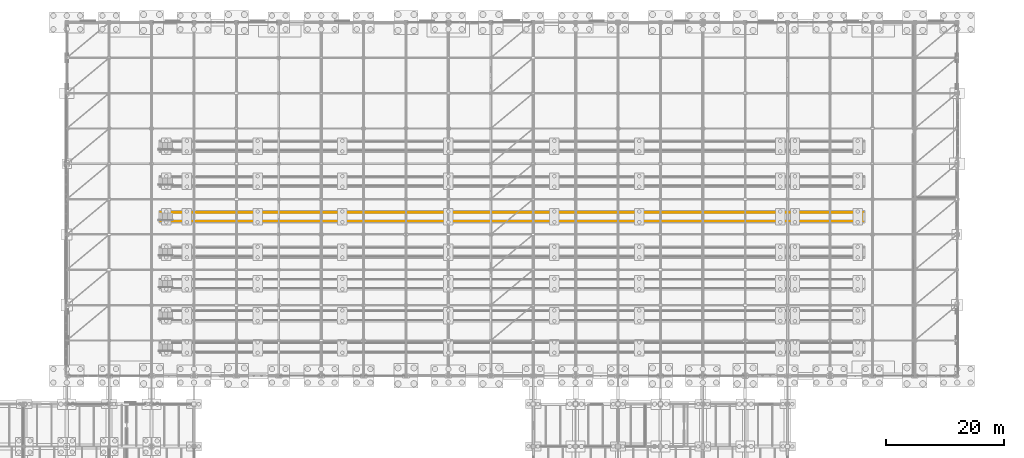
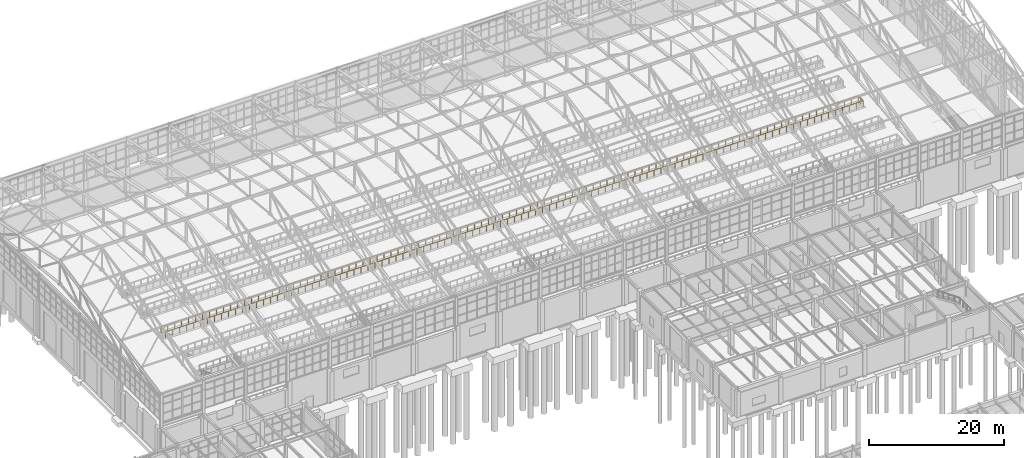
# One storey, part 286 of 293: 1 railing.
"""IFC4 building model written with IfcOpenShell, lengths in metres."""

from ifc_helpers import new_model, si_unit, direction, frame, origin, origin_2d, place, context, subcontext, project, spatial, circle, extrude, material, type_object, element, save


model = new_model("IFC4")

# Units and contexts
model_context = context("Model", 3, precision=1e-05, world=origin(), true_north=direction((0.0, 1.0)))
body_context = subcontext(model_context, "Body", "Model", "MODEL_VIEW")
ifc_project = project(units=[si_unit("LENGTHUNIT", "METRE"), si_unit("AREAUNIT", "SQUARE_METRE"), si_unit("VOLUMEUNIT", "CUBIC_METRE"), si_unit("PLANEANGLEUNIT", "RADIAN"), si_unit("MASSUNIT", "GRAM", prefix="KILO")], contexts=[model_context])

# Site, building, storey
site_placement = place(None, origin())
site = spatial("IfcSite", under=ifc_project, at=site_placement, CompositionType="ELEMENT")
building_placement = place(site_placement, origin())
building = spatial("IfcBuilding", under=site, at=building_placement, Name="Kemerveld Promenade Tramway Depot", CompositionType="ELEMENT")
storey_placement = place(building_placement, origin())
storey = spatial("IfcBuildingStorey", under=building, at=storey_placement, Name="L00", CompositionType="ELEMENT", Elevation=0.0)

# Railing
ifc_material = material(Name="Galvanised painted steel balustrade", Category="steel")
railing_type = type_object("IfcRailingType", Name="RL-GRD-1100", PredefinedType="GUARDRAIL", material=ifc_material)
railing_placement = place(storey_placement, frame((51.949951171875, 110.39501953125, 0.0)))
element("IfcRailing", 1, at=railing_placement, inside=storey, type_object=railing_type, Name="RL-PIT-PIT-05", PredefinedType="GUARDRAIL", context=body_context, shape_type="SweptSolid", body=[
    extrude(circle(Radius=0.02392578125, at=origin_2d()), frame((0.0, 0.0, 1.09619140625), z_axis=(0.0, -1.0, 0.0), x_axis=(1.0, 0.0, 0.0)), (0.0, 0.0, 1.0), 0.14501953125),
    extrude(circle(Radius=0.02392578125, at=origin_2d()), frame((0.0, -0.14501953125, 1.09619140625), z_axis=(1.0, 0.0, 0.0), x_axis=(0.0, 1.0, 0.0)), (0.0, 0.0, 1.0), 119.300048828125),
    extrude(circle(Radius=0.02392578125, at=origin_2d()), frame((119.300048828125, -0.14501953125, 1.09619140625), z_axis=(0.0, 1.0, 0.0), x_axis=(-1.0, 0.0, 0.0)), (0.0, 0.0, 1.0), 1.5),
    extrude(circle(Radius=0.02392578125, at=origin_2d()), frame((119.300048828125, 1.35498046875, 1.09619140625), z_axis=(-1.0, 0.0, 0.0), x_axis=(0.0, -1.0, 0.0)), (0.0, 0.0, 1.0), 119.300048828125),
    extrude(circle(Radius=0.02392578125, at=origin_2d()), frame((0.0, 1.35498046875, 1.09619140625), z_axis=(0.0, -1.0, 0.0), x_axis=(1.0, 0.0, 0.0)), (0.0, 0.0, 1.0), 0.14501953125),
    extrude(circle(Radius=0.02099609375, at=origin_2d()), origin(), (0.0, 0.0, 1.0), 1.072021484375),
    extrude(circle(Radius=0.02099609375, at=origin_2d()), frame((0.0, -0.14501953125, 0.0)), (0.0, 0.0, 1.0), 1.072021484375),
    extrude(circle(Radius=0.02099609375, at=origin_2d()), frame((1.193115234375, -0.14501953125, 0.0)), (0.0, 0.0, 1.0), 1.072021484375),
    extrude(circle(Radius=0.02099609375, at=origin_2d()), frame((2.385986328125, -0.14501953125, 0.0)), (0.0, 0.0, 1.0), 1.072021484375),
    extrude(circle(Radius=0.02099609375, at=origin_2d()), frame((3.5791015625, -0.14501953125, 0.0)), (0.0, 0.0, 1.0), 1.072021484375),
    extrude(circle(Radius=0.02099609375, at=origin_2d()), frame((4.77197265625, -0.14501953125, 0.0)), (0.0, 0.0, 1.0), 1.072021484375),
    extrude(circle(Radius=0.02099609375, at=origin_2d()), frame((5.965087890625, -0.14501953125, 0.0)), (0.0, 0.0, 1.0), 1.072021484375),
    extrude(circle(Radius=0.02099609375, at=origin_2d()), frame((7.157958984375, -0.14501953125, 0.0)), (0.0, 0.0, 1.0), 1.072021484375),
    extrude(circle(Radius=0.02099609375, at=origin_2d()), frame((8.35107421875, -0.14501953125, 0.0)), (0.0, 0.0, 1.0), 1.072021484375),
    extrude(circle(Radius=0.02099609375, at=origin_2d()), frame((9.5439453125, -0.14501953125, 0.0)), (0.0, 0.0, 1.0), 1.072021484375),
    extrude(circle(Radius=0.02099609375, at=origin_2d()), frame((10.737060546875, -0.14501953125, 0.0)), (0.0, 0.0, 1.0), 1.072021484375),
    extrude(circle(Radius=0.02099609375, at=origin_2d()), frame((11.929931640625, -0.14501953125, 0.0)), (0.0, 0.0, 1.0), 1.072021484375),
    extrude(circle(Radius=0.02099609375, at=origin_2d()), frame((13.123046875, -0.14501953125, 0.0)), (0.0, 0.0, 1.0), 1.072021484375),
    extrude(circle(Radius=0.02099609375, at=origin_2d()), frame((14.31591796875, -0.14501953125, 0.0)), (0.0, 0.0, 1.0), 1.072021484375),
    extrude(circle(Radius=0.02099609375, at=origin_2d()), frame((15.509033203125, -0.14501953125, 0.0)), (0.0, 0.0, 1.0), 1.072021484375),
    extrude(circle(Radius=0.02099609375, at=origin_2d()), frame((16.701904296875, -0.14501953125, 0.0)), (0.0, 0.0, 1.0), 1.072021484375),
    extrude(circle(Radius=0.02099609375, at=origin_2d()), frame((17.89501953125, -0.14501953125, 0.0)), (0.0, 0.0, 1.0), 1.072021484375),
    extrude(circle(Radius=0.02099609375, at=origin_2d()), frame((19.087890625, -0.14501953125, 0.0)), (0.0, 0.0, 1.0), 1.072021484375),
    extrude(circle(Radius=0.02099609375, at=origin_2d()), frame((20.281005859375, -0.14501953125, 0.0)), (0.0, 0.0, 1.0), 1.072021484375),
    extrude(circle(Radius=0.02099609375, at=origin_2d()), frame((21.47412109375, -0.14501953125, 0.0)), (0.0, 0.0, 1.0), 1.072021484375),
    extrude(circle(Radius=0.02099609375, at=origin_2d()), frame((22.6669921875, -0.14501953125, 0.0)), (0.0, 0.0, 1.0), 1.072021484375),
    extrude(circle(Radius=0.02099609375, at=origin_2d()), frame((23.860107421875, -0.14501953125, 0.0)), (0.0, 0.0, 1.0), 1.072021484375),
    extrude(circle(Radius=0.02099609375, at=origin_2d()), frame((25.052978515625, -0.14501953125, 0.0)), (0.0, 0.0, 1.0), 1.072021484375),
    extrude(circle(Radius=0.02099609375, at=origin_2d()), frame((26.24609375, -0.14501953125, 0.0)), (0.0, 0.0, 1.0), 1.072021484375),
    extrude(circle(Radius=0.02099609375, at=origin_2d()), frame((27.43896484375, -0.14501953125, 0.0)), (0.0, 0.0, 1.0), 1.072021484375),
    extrude(circle(Radius=0.02099609375, at=origin_2d()), frame((28.632080078125, -0.14501953125, 0.0)), (0.0, 0.0, 1.0), 1.072021484375),
    extrude(circle(Radius=0.02099609375, at=origin_2d()), frame((29.824951171875, -0.14501953125, 0.0)), (0.0, 0.0, 1.0), 1.072021484375),
    extrude(circle(Radius=0.02099609375, at=origin_2d()), frame((31.01806640625, -0.14501953125, 0.0)), (0.0, 0.0, 1.0), 1.072021484375),
    extrude(circle(Radius=0.02099609375, at=origin_2d()), frame((32.2109375, -0.14501953125, 0.0)), (0.0, 0.0, 1.0), 1.072021484375),
    extrude(circle(Radius=0.02099609375, at=origin_2d()), frame((33.404052734375, -0.14501953125, 0.0)), (0.0, 0.0, 1.0), 1.072021484375),
    extrude(circle(Radius=0.02099609375, at=origin_2d()), frame((34.596923828125, -0.14501953125, 0.0)), (0.0, 0.0, 1.0), 1.072021484375),
    extrude(circle(Radius=0.02099609375, at=origin_2d()), frame((35.7900390625, -0.14501953125, 0.0)), (0.0, 0.0, 1.0), 1.072021484375),
    extrude(circle(Radius=0.02099609375, at=origin_2d()), frame((36.98291015625, -0.14501953125, 0.0)), (0.0, 0.0, 1.0), 1.072021484375),
    extrude(circle(Radius=0.02099609375, at=origin_2d()), frame((38.176025390625, -0.14501953125, 0.0)), (0.0, 0.0, 1.0), 1.072021484375),
    extrude(circle(Radius=0.02099609375, at=origin_2d()), frame((39.368896484375, -0.14501953125, 0.0)), (0.0, 0.0, 1.0), 1.072021484375),
    extrude(circle(Radius=0.02099609375, at=origin_2d()), frame((40.56201171875, -0.14501953125, 0.0)), (0.0, 0.0, 1.0), 1.072021484375),
    extrude(circle(Radius=0.02099609375, at=origin_2d()), frame((41.755126953125, -0.14501953125, 0.0)), (0.0, 0.0, 1.0), 1.072021484375),
    extrude(circle(Radius=0.02099609375, at=origin_2d()), frame((42.947998046875, -0.14501953125, 0.0)), (0.0, 0.0, 1.0), 1.072021484375),
    extrude(circle(Radius=0.02099609375, at=origin_2d()), frame((44.14111328125, -0.14501953125, 0.0)), (0.0, 0.0, 1.0), 1.072021484375),
    extrude(circle(Radius=0.02099609375, at=origin_2d()), frame((45.333984375, -0.14501953125, 0.0)), (0.0, 0.0, 1.0), 1.072021484375),
    extrude(circle(Radius=0.02099609375, at=origin_2d()), frame((46.527099609375, -0.14501953125, 0.0)), (0.0, 0.0, 1.0), 1.072021484375),
    extrude(circle(Radius=0.02099609375, at=origin_2d()), frame((47.719970703125, -0.14501953125, 0.0)), (0.0, 0.0, 1.0), 1.072021484375),
    extrude(circle(Radius=0.02099609375, at=origin_2d()), frame((48.9130859375, -0.14501953125, 0.0)), (0.0, 0.0, 1.0), 1.072021484375),
    extrude(circle(Radius=0.02099609375, at=origin_2d()), frame((50.10595703125, -0.14501953125, 0.0)), (0.0, 0.0, 1.0), 1.072021484375),
    extrude(circle(Radius=0.02099609375, at=origin_2d()), frame((51.299072265625, -0.14501953125, 0.0)), (0.0, 0.0, 1.0), 1.072021484375),
    extrude(circle(Radius=0.02099609375, at=origin_2d()), frame((52.491943359375, -0.14501953125, 0.0)), (0.0, 0.0, 1.0), 1.072021484375),
    extrude(circle(Radius=0.02099609375, at=origin_2d()), frame((53.68505859375, -0.14501953125, 0.0)), (0.0, 0.0, 1.0), 1.072021484375),
    extrude(circle(Radius=0.02099609375, at=origin_2d()), frame((54.8779296875, -0.14501953125, 0.0)), (0.0, 0.0, 1.0), 1.072021484375),
    extrude(circle(Radius=0.02099609375, at=origin_2d()), frame((56.071044921875, -0.14501953125, 0.0)), (0.0, 0.0, 1.0), 1.072021484375),
    extrude(circle(Radius=0.02099609375, at=origin_2d()), frame((57.263916015625, -0.14501953125, 0.0)), (0.0, 0.0, 1.0), 1.072021484375),
    extrude(circle(Radius=0.02099609375, at=origin_2d()), frame((58.45703125, -0.14501953125, 0.0)), (0.0, 0.0, 1.0), 1.072021484375),
    extrude(circle(Radius=0.02099609375, at=origin_2d()), frame((59.64990234375, -0.14501953125, 0.0)), (0.0, 0.0, 1.0), 1.072021484375),
    extrude(circle(Radius=0.02099609375, at=origin_2d()), frame((60.843017578125, -0.14501953125, 0.0)), (0.0, 0.0, 1.0), 1.072021484375),
    extrude(circle(Radius=0.02099609375, at=origin_2d()), frame((62.0361328125, -0.14501953125, 0.0)), (0.0, 0.0, 1.0), 1.072021484375),
    extrude(circle(Radius=0.02099609375, at=origin_2d()), frame((63.22900390625, -0.14501953125, 0.0)), (0.0, 0.0, 1.0), 1.072021484375),
    extrude(circle(Radius=0.02099609375, at=origin_2d()), frame((64.422119140625, -0.14501953125, 0.0)), (0.0, 0.0, 1.0), 1.072021484375),
    extrude(circle(Radius=0.02099609375, at=origin_2d()), frame((65.614990234375, -0.14501953125, 0.0)), (0.0, 0.0, 1.0), 1.072021484375),
    extrude(circle(Radius=0.02099609375, at=origin_2d()), frame((66.80810546875, -0.14501953125, 0.0)), (0.0, 0.0, 1.0), 1.072021484375),
    extrude(circle(Radius=0.02099609375, at=origin_2d()), frame((68.0009765625, -0.14501953125, 0.0)), (0.0, 0.0, 1.0), 1.072021484375),
    extrude(circle(Radius=0.02099609375, at=origin_2d()), frame((69.194091796875, -0.14501953125, 0.0)), (0.0, 0.0, 1.0), 1.072021484375),
    extrude(circle(Radius=0.02099609375, at=origin_2d()), frame((70.386962890625, -0.14501953125, 0.0)), (0.0, 0.0, 1.0), 1.072021484375),
    extrude(circle(Radius=0.02099609375, at=origin_2d()), frame((71.580078125, -0.14501953125, 0.0)), (0.0, 0.0, 1.0), 1.072021484375),
    extrude(circle(Radius=0.02099609375, at=origin_2d()), frame((72.77294921875, -0.14501953125, 0.0)), (0.0, 0.0, 1.0), 1.072021484375),
    extrude(circle(Radius=0.02099609375, at=origin_2d()), frame((73.966064453125, -0.14501953125, 0.0)), (0.0, 0.0, 1.0), 1.072021484375),
    extrude(circle(Radius=0.02099609375, at=origin_2d()), frame((75.158935546875, -0.14501953125, 0.0)), (0.0, 0.0, 1.0), 1.072021484375),
    extrude(circle(Radius=0.02099609375, at=origin_2d()), frame((76.35205078125, -0.14501953125, 0.0)), (0.0, 0.0, 1.0), 1.072021484375),
    extrude(circle(Radius=0.02099609375, at=origin_2d()), frame((77.544921875, -0.14501953125, 0.0)), (0.0, 0.0, 1.0), 1.072021484375),
    extrude(circle(Radius=0.02099609375, at=origin_2d()), frame((78.738037109375, -0.14501953125, 0.0)), (0.0, 0.0, 1.0), 1.072021484375),
    extrude(circle(Radius=0.02099609375, at=origin_2d()), frame((79.93115234375, -0.14501953125, 0.0)), (0.0, 0.0, 1.0), 1.072021484375),
    extrude(circle(Radius=0.02099609375, at=origin_2d()), frame((81.1240234375, -0.14501953125, 0.0)), (0.0, 0.0, 1.0), 1.072021484375),
    extrude(circle(Radius=0.02099609375, at=origin_2d()), frame((82.317138671875, -0.14501953125, 0.0)), (0.0, 0.0, 1.0), 1.072021484375),
    extrude(circle(Radius=0.02099609375, at=origin_2d()), frame((83.510009765625, -0.14501953125, 0.0)), (0.0, 0.0, 1.0), 1.072021484375),
    extrude(circle(Radius=0.02099609375, at=origin_2d()), frame((84.703125, -0.14501953125, 0.0)), (0.0, 0.0, 1.0), 1.072021484375),
    extrude(circle(Radius=0.02099609375, at=origin_2d()), frame((85.89599609375, -0.14501953125, 0.0)), (0.0, 0.0, 1.0), 1.072021484375),
    extrude(circle(Radius=0.02099609375, at=origin_2d()), frame((87.089111328125, -0.14501953125, 0.0)), (0.0, 0.0, 1.0), 1.072021484375),
    extrude(circle(Radius=0.02099609375, at=origin_2d()), frame((88.281982421875, -0.14501953125, 0.0)), (0.0, 0.0, 1.0), 1.072021484375),
    extrude(circle(Radius=0.02099609375, at=origin_2d()), frame((89.47509765625, -0.14501953125, 0.0)), (0.0, 0.0, 1.0), 1.072021484375),
    extrude(circle(Radius=0.02099609375, at=origin_2d()), frame((90.66796875, -0.14501953125, 0.0)), (0.0, 0.0, 1.0), 1.072021484375),
    extrude(circle(Radius=0.02099609375, at=origin_2d()), frame((91.861083984375, -0.14501953125, 0.0)), (0.0, 0.0, 1.0), 1.072021484375),
    extrude(circle(Radius=0.02099609375, at=origin_2d()), frame((93.053955078125, -0.14501953125, 0.0)), (0.0, 0.0, 1.0), 1.072021484375),
    extrude(circle(Radius=0.02099609375, at=origin_2d()), frame((94.2470703125, -0.14501953125, 0.0)), (0.0, 0.0, 1.0), 1.072021484375),
    extrude(circle(Radius=0.02099609375, at=origin_2d()), frame((95.43994140625, -0.14501953125, 0.0)), (0.0, 0.0, 1.0), 1.072021484375),
    extrude(circle(Radius=0.02099609375, at=origin_2d()), frame((96.633056640625, -0.14501953125, 0.0)), (0.0, 0.0, 1.0), 1.072021484375),
    extrude(circle(Radius=0.02099609375, at=origin_2d()), frame((97.825927734375, -0.14501953125, 0.0)), (0.0, 0.0, 1.0), 1.072021484375),
    extrude(circle(Radius=0.02099609375, at=origin_2d()), frame((99.01904296875, -0.14501953125, 0.0)), (0.0, 0.0, 1.0), 1.072021484375),
    extrude(circle(Radius=0.02099609375, at=origin_2d()), frame((100.212158203125, -0.14501953125, 0.0)), (0.0, 0.0, 1.0), 1.072021484375),
    extrude(circle(Radius=0.02099609375, at=origin_2d()), frame((101.405029296875, -0.14501953125, 0.0)), (0.0, 0.0, 1.0), 1.072021484375),
    extrude(circle(Radius=0.02099609375, at=origin_2d()), frame((102.59814453125, -0.14501953125, 0.0)), (0.0, 0.0, 1.0), 1.072021484375),
    extrude(circle(Radius=0.02099609375, at=origin_2d()), frame((103.791015625, -0.14501953125, 0.0)), (0.0, 0.0, 1.0), 1.072021484375),
    extrude(circle(Radius=0.02099609375, at=origin_2d()), frame((104.984130859375, -0.14501953125, 0.0)), (0.0, 0.0, 1.0), 1.072021484375),
    extrude(circle(Radius=0.02099609375, at=origin_2d()), frame((106.177001953125, -0.14501953125, 0.0)), (0.0, 0.0, 1.0), 1.072021484375),
    extrude(circle(Radius=0.02099609375, at=origin_2d()), frame((107.3701171875, -0.14501953125, 0.0)), (0.0, 0.0, 1.0), 1.072021484375),
    extrude(circle(Radius=0.02099609375, at=origin_2d()), frame((108.56298828125, -0.14501953125, 0.0)), (0.0, 0.0, 1.0), 1.072021484375),
    extrude(circle(Radius=0.02099609375, at=origin_2d()), frame((109.756103515625, -0.14501953125, 0.0)), (0.0, 0.0, 1.0), 1.072021484375),
    extrude(circle(Radius=0.02099609375, at=origin_2d()), frame((110.948974609375, -0.14501953125, 0.0)), (0.0, 0.0, 1.0), 1.072021484375),
    extrude(circle(Radius=0.02099609375, at=origin_2d()), frame((112.14208984375, -0.14501953125, 0.0)), (0.0, 0.0, 1.0), 1.072021484375),
    extrude(circle(Radius=0.02099609375, at=origin_2d()), frame((113.3349609375, -0.14501953125, 0.0)), (0.0, 0.0, 1.0), 1.072021484375),
    extrude(circle(Radius=0.02099609375, at=origin_2d()), frame((114.528076171875, -0.14501953125, 0.0)), (0.0, 0.0, 1.0), 1.072021484375),
    extrude(circle(Radius=0.02099609375, at=origin_2d()), frame((115.720947265625, -0.14501953125, 0.0)), (0.0, 0.0, 1.0), 1.072021484375),
    extrude(circle(Radius=0.02099609375, at=origin_2d()), frame((116.9140625, -0.14501953125, 0.0)), (0.0, 0.0, 1.0), 1.072021484375),
    extrude(circle(Radius=0.02099609375, at=origin_2d()), frame((118.10693359375, -0.14501953125, 0.0)), (0.0, 0.0, 1.0), 1.072021484375),
    extrude(circle(Radius=0.02099609375, at=origin_2d()), frame((119.300048828125, -0.14501953125, 0.0)), (0.0, 0.0, 1.0), 1.072021484375),
    extrude(circle(Radius=0.02099609375, at=origin_2d()), frame((119.300048828125, 0.60498046875, 0.0)), (0.0, 0.0, 1.0), 1.072021484375),
    extrude(circle(Radius=0.02099609375, at=origin_2d()), frame((119.300048828125, 1.35498046875, 0.0)), (0.0, 0.0, 1.0), 1.072021484375),
    extrude(circle(Radius=0.02099609375, at=origin_2d()), frame((118.10693359375, 1.35498046875, 0.0)), (0.0, 0.0, 1.0), 1.072021484375),
    extrude(circle(Radius=0.02099609375, at=origin_2d()), frame((116.9140625, 1.35498046875, 0.0)), (0.0, 0.0, 1.0), 1.072021484375),
    extrude(circle(Radius=0.02099609375, at=origin_2d()), frame((115.720947265625, 1.35498046875, 0.0)), (0.0, 0.0, 1.0), 1.072021484375),
    extrude(circle(Radius=0.02099609375, at=origin_2d()), frame((114.528076171875, 1.35498046875, 0.0)), (0.0, 0.0, 1.0), 1.072021484375),
    extrude(circle(Radius=0.02099609375, at=origin_2d()), frame((113.3349609375, 1.35498046875, 0.0)), (0.0, 0.0, 1.0), 1.072021484375),
    extrude(circle(Radius=0.02099609375, at=origin_2d()), frame((112.14208984375, 1.35498046875, 0.0)), (0.0, 0.0, 1.0), 1.072021484375),
    extrude(circle(Radius=0.02099609375, at=origin_2d()), frame((110.948974609375, 1.35498046875, 0.0)), (0.0, 0.0, 1.0), 1.072021484375),
    extrude(circle(Radius=0.02099609375, at=origin_2d()), frame((109.756103515625, 1.35498046875, 0.0)), (0.0, 0.0, 1.0), 1.072021484375),
    extrude(circle(Radius=0.02099609375, at=origin_2d()), frame((108.56298828125, 1.35498046875, 0.0)), (0.0, 0.0, 1.0), 1.072021484375),
    extrude(circle(Radius=0.02099609375, at=origin_2d()), frame((107.3701171875, 1.35498046875, 0.0)), (0.0, 0.0, 1.0), 1.072021484375),
    extrude(circle(Radius=0.02099609375, at=origin_2d()), frame((106.177001953125, 1.35498046875, 0.0)), (0.0, 0.0, 1.0), 1.072021484375),
    extrude(circle(Radius=0.02099609375, at=origin_2d()), frame((104.984130859375, 1.35498046875, 0.0)), (0.0, 0.0, 1.0), 1.072021484375),
    extrude(circle(Radius=0.02099609375, at=origin_2d()), frame((103.791015625, 1.35498046875, 0.0)), (0.0, 0.0, 1.0), 1.072021484375),
    extrude(circle(Radius=0.02099609375, at=origin_2d()), frame((102.59814453125, 1.35498046875, 0.0)), (0.0, 0.0, 1.0), 1.072021484375),
    extrude(circle(Radius=0.02099609375, at=origin_2d()), frame((101.405029296875, 1.35498046875, 0.0)), (0.0, 0.0, 1.0), 1.072021484375),
    extrude(circle(Radius=0.02099609375, at=origin_2d()), frame((100.212158203125, 1.35498046875, 0.0)), (0.0, 0.0, 1.0), 1.072021484375),
    extrude(circle(Radius=0.02099609375, at=origin_2d()), frame((99.01904296875, 1.35498046875, 0.0)), (0.0, 0.0, 1.0), 1.072021484375),
    extrude(circle(Radius=0.02099609375, at=origin_2d()), frame((97.825927734375, 1.35498046875, 0.0)), (0.0, 0.0, 1.0), 1.072021484375),
    extrude(circle(Radius=0.02099609375, at=origin_2d()), frame((96.633056640625, 1.35498046875, 0.0)), (0.0, 0.0, 1.0), 1.072021484375),
    extrude(circle(Radius=0.02099609375, at=origin_2d()), frame((95.43994140625, 1.35498046875, 0.0)), (0.0, 0.0, 1.0), 1.072021484375),
    extrude(circle(Radius=0.02099609375, at=origin_2d()), frame((94.2470703125, 1.35498046875, 0.0)), (0.0, 0.0, 1.0), 1.072021484375),
    extrude(circle(Radius=0.02099609375, at=origin_2d()), frame((93.053955078125, 1.35498046875, 0.0)), (0.0, 0.0, 1.0), 1.072021484375),
    extrude(circle(Radius=0.02099609375, at=origin_2d()), frame((91.861083984375, 1.35498046875, 0.0)), (0.0, 0.0, 1.0), 1.072021484375),
    extrude(circle(Radius=0.02099609375, at=origin_2d()), frame((90.66796875, 1.35498046875, 0.0)), (0.0, 0.0, 1.0), 1.072021484375),
    extrude(circle(Radius=0.02099609375, at=origin_2d()), frame((89.47509765625, 1.35498046875, 0.0)), (0.0, 0.0, 1.0), 1.072021484375),
    extrude(circle(Radius=0.02099609375, at=origin_2d()), frame((88.281982421875, 1.35498046875, 0.0)), (0.0, 0.0, 1.0), 1.072021484375),
    extrude(circle(Radius=0.02099609375, at=origin_2d()), frame((87.089111328125, 1.35498046875, 0.0)), (0.0, 0.0, 1.0), 1.072021484375),
    extrude(circle(Radius=0.02099609375, at=origin_2d()), frame((85.89599609375, 1.35498046875, 0.0)), (0.0, 0.0, 1.0), 1.072021484375),
    extrude(circle(Radius=0.02099609375, at=origin_2d()), frame((84.703125, 1.35498046875, 0.0)), (0.0, 0.0, 1.0), 1.072021484375),
    extrude(circle(Radius=0.02099609375, at=origin_2d()), frame((83.510009765625, 1.35498046875, 0.0)), (0.0, 0.0, 1.0), 1.072021484375),
    extrude(circle(Radius=0.02099609375, at=origin_2d()), frame((82.317138671875, 1.35498046875, 0.0)), (0.0, 0.0, 1.0), 1.072021484375),
    extrude(circle(Radius=0.02099609375, at=origin_2d()), frame((81.1240234375, 1.35498046875, 0.0)), (0.0, 0.0, 1.0), 1.072021484375),
    extrude(circle(Radius=0.02099609375, at=origin_2d()), frame((79.93115234375, 1.35498046875, 0.0)), (0.0, 0.0, 1.0), 1.072021484375),
    extrude(circle(Radius=0.02099609375, at=origin_2d()), frame((78.738037109375, 1.35498046875, 0.0)), (0.0, 0.0, 1.0), 1.072021484375),
    extrude(circle(Radius=0.02099609375, at=origin_2d()), frame((77.544921875, 1.35498046875, 0.0)), (0.0, 0.0, 1.0), 1.072021484375),
    extrude(circle(Radius=0.02099609375, at=origin_2d()), frame((76.35205078125, 1.35498046875, 0.0)), (0.0, 0.0, 1.0), 1.072021484375),
    extrude(circle(Radius=0.02099609375, at=origin_2d()), frame((75.158935546875, 1.35498046875, 0.0)), (0.0, 0.0, 1.0), 1.072021484375),
    extrude(circle(Radius=0.02099609375, at=origin_2d()), frame((73.966064453125, 1.35498046875, 0.0)), (0.0, 0.0, 1.0), 1.072021484375),
    extrude(circle(Radius=0.02099609375, at=origin_2d()), frame((72.77294921875, 1.35498046875, 0.0)), (0.0, 0.0, 1.0), 1.072021484375),
    extrude(circle(Radius=0.02099609375, at=origin_2d()), frame((71.580078125, 1.35498046875, 0.0)), (0.0, 0.0, 1.0), 1.072021484375),
    extrude(circle(Radius=0.02099609375, at=origin_2d()), frame((70.386962890625, 1.35498046875, 0.0)), (0.0, 0.0, 1.0), 1.072021484375),
    extrude(circle(Radius=0.02099609375, at=origin_2d()), frame((69.194091796875, 1.35498046875, 0.0)), (0.0, 0.0, 1.0), 1.072021484375),
    extrude(circle(Radius=0.02099609375, at=origin_2d()), frame((68.0009765625, 1.35498046875, 0.0)), (0.0, 0.0, 1.0), 1.072021484375),
    extrude(circle(Radius=0.02099609375, at=origin_2d()), frame((66.80810546875, 1.35498046875, 0.0)), (0.0, 0.0, 1.0), 1.072021484375),
    extrude(circle(Radius=0.02099609375, at=origin_2d()), frame((65.614990234375, 1.35498046875, 0.0)), (0.0, 0.0, 1.0), 1.072021484375),
    extrude(circle(Radius=0.02099609375, at=origin_2d()), frame((64.422119140625, 1.35498046875, 0.0)), (0.0, 0.0, 1.0), 1.072021484375),
    extrude(circle(Radius=0.02099609375, at=origin_2d()), frame((63.22900390625, 1.35498046875, 0.0)), (0.0, 0.0, 1.0), 1.072021484375),
    extrude(circle(Radius=0.02099609375, at=origin_2d()), frame((62.0361328125, 1.35498046875, 0.0)), (0.0, 0.0, 1.0), 1.072021484375),
    extrude(circle(Radius=0.02099609375, at=origin_2d()), frame((60.843017578125, 1.35498046875, 0.0)), (0.0, 0.0, 1.0), 1.072021484375),
    extrude(circle(Radius=0.02099609375, at=origin_2d()), frame((59.64990234375, 1.35498046875, 0.0)), (0.0, 0.0, 1.0), 1.072021484375),
    extrude(circle(Radius=0.02099609375, at=origin_2d()), frame((58.45703125, 1.35498046875, 0.0)), (0.0, 0.0, 1.0), 1.072021484375),
    extrude(circle(Radius=0.02099609375, at=origin_2d()), frame((57.263916015625, 1.35498046875, 0.0)), (0.0, 0.0, 1.0), 1.072021484375),
    extrude(circle(Radius=0.02099609375, at=origin_2d()), frame((56.071044921875, 1.35498046875, 0.0)), (0.0, 0.0, 1.0), 1.072021484375),
    extrude(circle(Radius=0.02099609375, at=origin_2d()), frame((54.8779296875, 1.35498046875, 0.0)), (0.0, 0.0, 1.0), 1.072021484375),
    extrude(circle(Radius=0.02099609375, at=origin_2d()), frame((53.68505859375, 1.35498046875, 0.0)), (0.0, 0.0, 1.0), 1.072021484375),
    extrude(circle(Radius=0.02099609375, at=origin_2d()), frame((52.491943359375, 1.35498046875, 0.0)), (0.0, 0.0, 1.0), 1.072021484375),
    extrude(circle(Radius=0.02099609375, at=origin_2d()), frame((51.299072265625, 1.35498046875, 0.0)), (0.0, 0.0, 1.0), 1.072021484375),
    extrude(circle(Radius=0.02099609375, at=origin_2d()), frame((50.10595703125, 1.35498046875, 0.0)), (0.0, 0.0, 1.0), 1.072021484375),
    extrude(circle(Radius=0.02099609375, at=origin_2d()), frame((48.9130859375, 1.35498046875, 0.0)), (0.0, 0.0, 1.0), 1.072021484375),
    extrude(circle(Radius=0.02099609375, at=origin_2d()), frame((47.719970703125, 1.35498046875, 0.0)), (0.0, 0.0, 1.0), 1.072021484375),
    extrude(circle(Radius=0.02099609375, at=origin_2d()), frame((46.527099609375, 1.35498046875, 0.0)), (0.0, 0.0, 1.0), 1.072021484375),
    extrude(circle(Radius=0.02099609375, at=origin_2d()), frame((45.333984375, 1.35498046875, 0.0)), (0.0, 0.0, 1.0), 1.072021484375),
    extrude(circle(Radius=0.02099609375, at=origin_2d()), frame((44.14111328125, 1.35498046875, 0.0)), (0.0, 0.0, 1.0), 1.072021484375),
    extrude(circle(Radius=0.02099609375, at=origin_2d()), frame((42.947998046875, 1.35498046875, 0.0)), (0.0, 0.0, 1.0), 1.072021484375),
    extrude(circle(Radius=0.02099609375, at=origin_2d()), frame((41.755126953125, 1.35498046875, 0.0)), (0.0, 0.0, 1.0), 1.072021484375),
    extrude(circle(Radius=0.02099609375, at=origin_2d()), frame((40.56201171875, 1.35498046875, 0.0)), (0.0, 0.0, 1.0), 1.072021484375),
    extrude(circle(Radius=0.02099609375, at=origin_2d()), frame((39.368896484375, 1.35498046875, 0.0)), (0.0, 0.0, 1.0), 1.072021484375),
    extrude(circle(Radius=0.02099609375, at=origin_2d()), frame((38.176025390625, 1.35498046875, 0.0)), (0.0, 0.0, 1.0), 1.072021484375),
    extrude(circle(Radius=0.02099609375, at=origin_2d()), frame((36.98291015625, 1.35498046875, 0.0)), (0.0, 0.0, 1.0), 1.072021484375),
    extrude(circle(Radius=0.02099609375, at=origin_2d()), frame((35.7900390625, 1.35498046875, 0.0)), (0.0, 0.0, 1.0), 1.072021484375),
    extrude(circle(Radius=0.02099609375, at=origin_2d()), frame((34.596923828125, 1.35498046875, 0.0)), (0.0, 0.0, 1.0), 1.072021484375),
    extrude(circle(Radius=0.02099609375, at=origin_2d()), frame((33.404052734375, 1.35498046875, 0.0)), (0.0, 0.0, 1.0), 1.072021484375),
    extrude(circle(Radius=0.02099609375, at=origin_2d()), frame((32.2109375, 1.35498046875, 0.0)), (0.0, 0.0, 1.0), 1.072021484375),
    extrude(circle(Radius=0.02099609375, at=origin_2d()), frame((31.01806640625, 1.35498046875, 0.0)), (0.0, 0.0, 1.0), 1.072021484375),
    extrude(circle(Radius=0.02099609375, at=origin_2d()), frame((29.824951171875, 1.35498046875, 0.0)), (0.0, 0.0, 1.0), 1.072021484375),
    extrude(circle(Radius=0.02099609375, at=origin_2d()), frame((28.632080078125, 1.35498046875, 0.0)), (0.0, 0.0, 1.0), 1.072021484375),
    extrude(circle(Radius=0.02099609375, at=origin_2d()), frame((27.43896484375, 1.35498046875, 0.0)), (0.0, 0.0, 1.0), 1.072021484375),
    extrude(circle(Radius=0.02099609375, at=origin_2d()), frame((26.24609375, 1.35498046875, 0.0)), (0.0, 0.0, 1.0), 1.072021484375),
    extrude(circle(Radius=0.02099609375, at=origin_2d()), frame((25.052978515625, 1.35498046875, 0.0)), (0.0, 0.0, 1.0), 1.072021484375),
    extrude(circle(Radius=0.02099609375, at=origin_2d()), frame((23.860107421875, 1.35498046875, 0.0)), (0.0, 0.0, 1.0), 1.072021484375),
    extrude(circle(Radius=0.02099609375, at=origin_2d()), frame((22.6669921875, 1.35498046875, 0.0)), (0.0, 0.0, 1.0), 1.072021484375),
    extrude(circle(Radius=0.02099609375, at=origin_2d()), frame((21.47412109375, 1.35498046875, 0.0)), (0.0, 0.0, 1.0), 1.072021484375),
    extrude(circle(Radius=0.02099609375, at=origin_2d()), frame((20.281005859375, 1.35498046875, 0.0)), (0.0, 0.0, 1.0), 1.072021484375),
    extrude(circle(Radius=0.02099609375, at=origin_2d()), frame((19.087890625, 1.35498046875, 0.0)), (0.0, 0.0, 1.0), 1.072021484375),
    extrude(circle(Radius=0.02099609375, at=origin_2d()), frame((17.89501953125, 1.35498046875, 0.0)), (0.0, 0.0, 1.0), 1.072021484375),
    extrude(circle(Radius=0.02099609375, at=origin_2d()), frame((16.701904296875, 1.35498046875, 0.0)), (0.0, 0.0, 1.0), 1.072021484375),
    extrude(circle(Radius=0.02099609375, at=origin_2d()), frame((15.509033203125, 1.35498046875, 0.0)), (0.0, 0.0, 1.0), 1.072021484375),
    extrude(circle(Radius=0.02099609375, at=origin_2d()), frame((14.31591796875, 1.35498046875, 0.0)), (0.0, 0.0, 1.0), 1.072021484375),
    extrude(circle(Radius=0.02099609375, at=origin_2d()), frame((13.123046875, 1.35498046875, 0.0)), (0.0, 0.0, 1.0), 1.072021484375),
    extrude(circle(Radius=0.02099609375, at=origin_2d()), frame((11.929931640625, 1.35498046875, 0.0)), (0.0, 0.0, 1.0), 1.072021484375),
    extrude(circle(Radius=0.02099609375, at=origin_2d()), frame((10.737060546875, 1.35498046875, 0.0)), (0.0, 0.0, 1.0), 1.072021484375),
    extrude(circle(Radius=0.02099609375, at=origin_2d()), frame((9.5439453125, 1.35498046875, 0.0)), (0.0, 0.0, 1.0), 1.072021484375),
    extrude(circle(Radius=0.02099609375, at=origin_2d()), frame((8.35107421875, 1.35498046875, 0.0)), (0.0, 0.0, 1.0), 1.072021484375),
    extrude(circle(Radius=0.02099609375, at=origin_2d()), frame((7.157958984375, 1.35498046875, 0.0)), (0.0, 0.0, 1.0), 1.072021484375),
    extrude(circle(Radius=0.02099609375, at=origin_2d()), frame((5.965087890625, 1.35498046875, 0.0)), (0.0, 0.0, 1.0), 1.072021484375),
    extrude(circle(Radius=0.02099609375, at=origin_2d()), frame((4.77197265625, 1.35498046875, 0.0)), (0.0, 0.0, 1.0), 1.072021484375),
    extrude(circle(Radius=0.02099609375, at=origin_2d()), frame((3.5791015625, 1.35498046875, 0.0)), (0.0, 0.0, 1.0), 1.072021484375),
    extrude(circle(Radius=0.02099609375, at=origin_2d()), frame((2.385986328125, 1.35498046875, 0.0)), (0.0, 0.0, 1.0), 1.072021484375),
    extrude(circle(Radius=0.02099609375, at=origin_2d()), frame((1.193115234375, 1.35498046875, 0.0)), (0.0, 0.0, 1.0), 1.072021484375),
    extrude(circle(Radius=0.02099609375, at=origin_2d()), frame((0.0, 1.35498046875, 0.0)), (0.0, 0.0, 1.0), 1.072021484375),
    extrude(circle(Radius=0.02099609375, at=origin_2d()), frame((0.0, 1.2099609375, 0.0)), (0.0, 0.0, 1.0), 1.072021484375),
])

save(model, "model.ifc")
